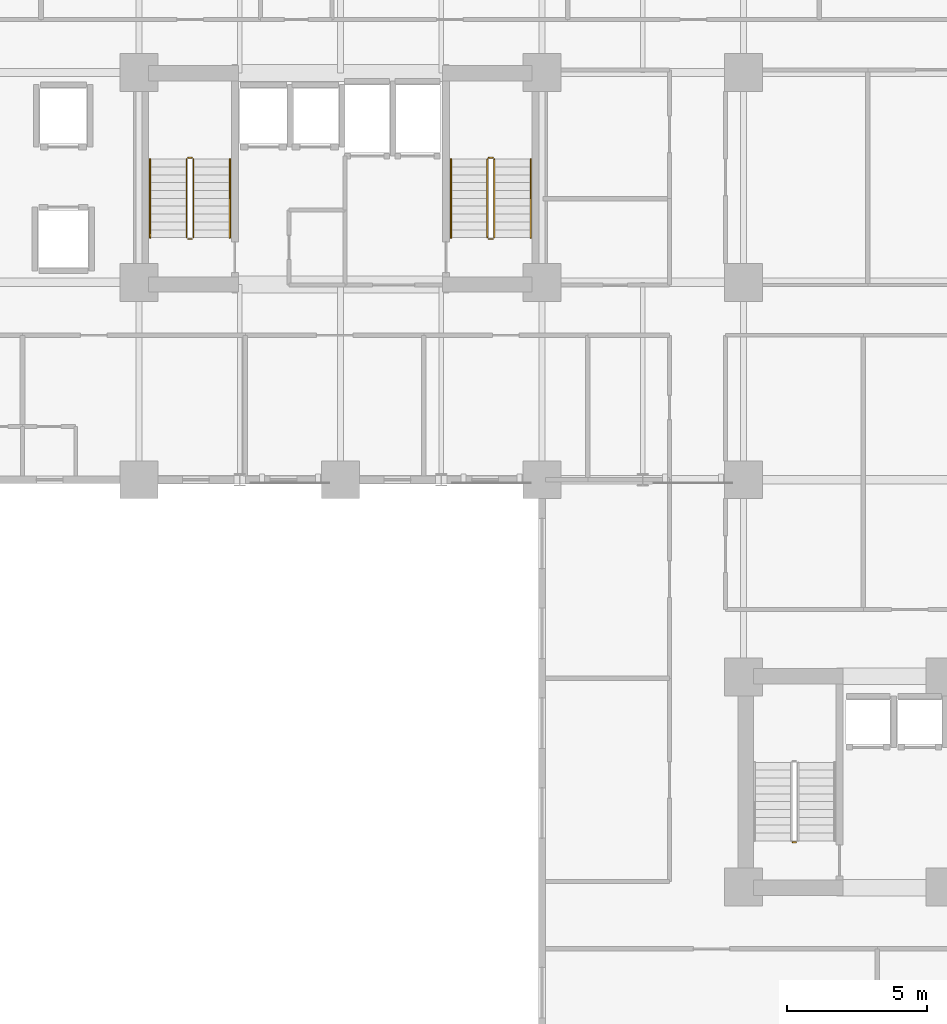
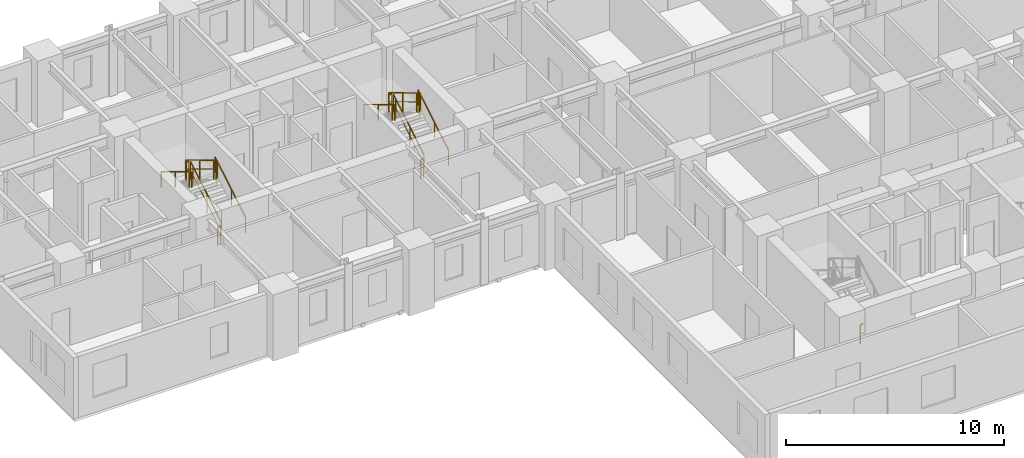
# One storey, part 9 of 11: 13 railings.
"""IFC4 building model written with IfcOpenShell, lengths in metres."""

from ifc_helpers import new_model, si_unit, direction, frame, origin, origin_2d, place, context, subcontext, project, spatial, rectangle, extrude, material, type_object, element, save


model = new_model("IFC4")

# Units and contexts
model_context = context("Model", 3, precision=1e-05, world=origin(), true_north=direction((0.0, 1.0)))
body_context = subcontext(model_context, "Body", "Model", "MODEL_VIEW")
ifc_project = project(units=[si_unit("LENGTHUNIT", "METRE"), si_unit("AREAUNIT", "SQUARE_METRE"), si_unit("VOLUMEUNIT", "CUBIC_METRE"), si_unit("PLANEANGLEUNIT", "RADIAN"), si_unit("MASSUNIT", "GRAM", prefix="KILO")], contexts=[model_context])

# Site, building, storey
site_placement = place(None, origin())
site = spatial("IfcSite", under=ifc_project, at=site_placement, CompositionType="ELEMENT")
building_placement = place(site_placement, origin())
building = spatial("IfcBuilding", under=site, at=building_placement, Name="Kaliganga Portal Commons", CompositionType="ELEMENT")
storey_placement = place(building_placement, frame((0.0, 0.0, 36.39990234375)))
storey = spatial("IfcBuildingStorey", under=building, at=storey_placement, Name="L08", CompositionType="ELEMENT", Elevation=36.39990234375)

# Railings
ifc_material_1 = material(Name="Galvanized Painted Steel Balustrade", Category="steel")
railing_type_1 = type_object("IfcRailingType", Name="RLG-STAIR-GRD", PredefinedType="GUARDRAIL", material=ifc_material_1)
railing_1_placement = place(storey_placement, frame((16.35009765625, 30.25, 0.168212890625)))
element("IfcRailing", 1, at=railing_1_placement, inside=storey, type_object=railing_type_1, Name="L08 ST-A1 stair guard 1", PredefinedType="GUARDRAIL", context=body_context, shape_type="SweptSolid", body=[
    extrude(rectangle(XDim=0.048095703125, YDim=0.048095703125, at=origin_2d()), frame((0.0, 0.0, 1.072021484375), z_axis=(0.0, 0.857242210791, 0.514913383045), x_axis=(-1.0, 0.0, 0.0)), (0.0, 0.0, 1.0), 3.266357421875),
    extrude(rectangle(XDim=0.028076171875, YDim=0.028076171875, at=origin_2d()), frame((0.0, 0.0, 0.572021484375), z_axis=(0.0, 0.857242210791, 0.514913383045), x_axis=(-1.0, 0.0, 0.0)), (0.0, 0.0, 1.0), 3.266357421875),
    extrude(rectangle(XDim=0.0419921875, YDim=0.0419921875, at=origin_2d()), origin(), (0.0, 0.0, 1.0), 1.052001953125),
    extrude(rectangle(XDim=0.0419921875, YDim=0.0419921875, at=origin_2d()), frame((0.0, 1.285888671875, 0.7724609375)), (0.0, 0.0, 1.0), 1.052001953125),
    extrude(rectangle(XDim=0.0419921875, YDim=0.0419921875, at=origin_2d()), frame((0.0, 2.57177734375, 1.544677734375)), (0.0, 0.0, 1.0), 1.052001953125),
    extrude(rectangle(XDim=0.0419921875, YDim=0.0419921875, at=origin_2d()), frame((0.0, 2.800048828125, 1.681884765625)), (0.0, 0.0, 1.0), 1.052001953125),
])
railing_2_placement = place(storey_placement, frame((16.300048828125, 33.10009765625, 1.85009765625)))
element("IfcRailing", 2, at=railing_2_placement, inside=storey, type_object=railing_type_1, Name="L08 ST-A1 stair guard 2", PredefinedType="GUARDRAIL", context=body_context, shape_type="SweptSolid", body=[
    extrude(rectangle(XDim=0.048095703125, YDim=0.048095703125, at=origin_2d()), frame((0.0, 0.0, 1.076171875), z_axis=(-1.0, 0.0, 0.0), x_axis=(0.0, -1.0, 0.0)), (0.0, 0.0, 1.0), 0.150146484375),
    extrude(rectangle(XDim=0.028076171875, YDim=0.028076171875, at=origin_2d()), frame((0.0, 0.0, 0.572021484375), z_axis=(-1.0, 0.0, 0.0), x_axis=(0.0, -1.0, 0.0)), (0.0, 0.0, 1.0), 0.150146484375),
    extrude(rectangle(XDim=0.0419921875, YDim=0.0419921875, at=origin_2d()), origin(), (0.0, 0.0, 1.0), 1.052001953125),
    extrude(rectangle(XDim=0.0419921875, YDim=0.0419921875, at=origin_2d()), frame((-0.150146484375, 0.0, 0.0)), (0.0, 0.0, 1.0), 1.052001953125),
])
railing_3_placement = place(storey_placement, frame((16.10009765625, 33.050048828125, 2.018310546875)))
element("IfcRailing", 3, at=railing_3_placement, inside=storey, type_object=railing_type_1, Name="L08 ST-A1 stair guard 3", PredefinedType="GUARDRAIL", context=body_context, shape_type="SweptSolid", body=[
    extrude(rectangle(XDim=0.048095703125, YDim=0.048095703125, at=origin_2d()), frame((0.0, 0.0, 1.072021484375), z_axis=(0.0, -0.857242210791, 0.514913383045), x_axis=(1.0, 0.0, 0.0)), (0.0, 0.0, 1.0), 3.266357421875),
    extrude(rectangle(XDim=0.028076171875, YDim=0.028076171875, at=origin_2d()), frame((0.0, 0.0, 0.572021484375), z_axis=(0.0, -0.857242210791, 0.514913383045), x_axis=(1.0, 0.0, 0.0)), (0.0, 0.0, 1.0), 3.266357421875),
    extrude(rectangle(XDim=0.0419921875, YDim=0.0419921875, at=origin_2d()), origin(), (0.0, 0.0, 1.0), 1.052001953125),
    extrude(rectangle(XDim=0.0419921875, YDim=0.0419921875, at=origin_2d()), frame((0.0, -1.285888671875, 0.7724609375)), (0.0, 0.0, 1.0), 1.052001953125),
    extrude(rectangle(XDim=0.0419921875, YDim=0.0419921875, at=origin_2d()), frame((0.0, -2.57177734375, 1.544677734375)), (0.0, 0.0, 1.0), 1.052001953125),
    extrude(rectangle(XDim=0.0419921875, YDim=0.0419921875, at=origin_2d()), frame((0.0, -2.800048828125, 1.681884765625)), (0.0, 0.0, 1.0), 1.052001953125),
])
railing_4_placement = place(storey_placement, frame((16.300048828125, 30.199951171875, 0.0)))
element("IfcRailing", 4, at=railing_4_placement, inside=storey, type_object=railing_type_1, Name="L08 ST-A1 stair guard 4", PredefinedType="GUARDRAIL", context=body_context, shape_type="SweptSolid", body=[
    extrude(rectangle(XDim=0.048095703125, YDim=0.048095703125, at=origin_2d()), frame((0.0, 0.0, 1.076171875), z_axis=(-1.0, 0.0, 0.0), x_axis=(0.0, -1.0, 0.0)), (0.0, 0.0, 1.0), 0.150146484375),
    extrude(rectangle(XDim=0.028076171875, YDim=0.028076171875, at=origin_2d()), frame((0.0, 0.0, 0.572021484375), z_axis=(-1.0, 0.0, 0.0), x_axis=(0.0, -1.0, 0.0)), (0.0, 0.0, 1.0), 0.150146484375),
    extrude(rectangle(XDim=0.0419921875, YDim=0.0419921875, at=origin_2d()), origin(), (0.0, 0.0, 1.0), 1.052001953125),
    extrude(rectangle(XDim=0.0419921875, YDim=0.0419921875, at=origin_2d()), frame((-0.150146484375, 0.0, 0.0)), (0.0, 0.0, 1.0), 1.052001953125),
])
railing_5_placement = place(storey_placement, frame((27.10009765625, 30.25, 0.168212890625)))
element("IfcRailing", 5, at=railing_5_placement, inside=storey, type_object=railing_type_1, Name="L08 ST-A2 stair guard 1", PredefinedType="GUARDRAIL", context=body_context, shape_type="SweptSolid", body=[
    extrude(rectangle(XDim=0.048095703125, YDim=0.048095703125, at=origin_2d()), frame((0.0, 0.0, 1.072021484375), z_axis=(0.0, 0.857242210791, 0.514913383045), x_axis=(-1.0, 0.0, 0.0)), (0.0, 0.0, 1.0), 3.266357421875),
    extrude(rectangle(XDim=0.028076171875, YDim=0.028076171875, at=origin_2d()), frame((0.0, 0.0, 0.572021484375), z_axis=(0.0, 0.857242210791, 0.514913383045), x_axis=(-1.0, 0.0, 0.0)), (0.0, 0.0, 1.0), 3.266357421875),
    extrude(rectangle(XDim=0.0419921875, YDim=0.0419921875, at=origin_2d()), origin(), (0.0, 0.0, 1.0), 1.052001953125),
    extrude(rectangle(XDim=0.0419921875, YDim=0.0419921875, at=origin_2d()), frame((0.0, 1.285888671875, 0.7724609375)), (0.0, 0.0, 1.0), 1.052001953125),
    extrude(rectangle(XDim=0.0419921875, YDim=0.0419921875, at=origin_2d()), frame((0.0, 2.57177734375, 1.544677734375)), (0.0, 0.0, 1.0), 1.052001953125),
    extrude(rectangle(XDim=0.0419921875, YDim=0.0419921875, at=origin_2d()), frame((0.0, 2.800048828125, 1.681884765625)), (0.0, 0.0, 1.0), 1.052001953125),
])
railing_6_placement = place(storey_placement, frame((27.050048828125, 33.10009765625, 1.85009765625)))
element("IfcRailing", 6, at=railing_6_placement, inside=storey, type_object=railing_type_1, Name="L08 ST-A2 stair guard 2", PredefinedType="GUARDRAIL", context=body_context, shape_type="SweptSolid", body=[
    extrude(rectangle(XDim=0.048095703125, YDim=0.048095703125, at=origin_2d()), frame((0.0, 0.0, 1.076171875), z_axis=(-1.0, 0.0, 0.0), x_axis=(0.0, -1.0, 0.0)), (0.0, 0.0, 1.0), 0.150146484375),
    extrude(rectangle(XDim=0.028076171875, YDim=0.028076171875, at=origin_2d()), frame((0.0, 0.0, 0.572021484375), z_axis=(-1.0, 0.0, 0.0), x_axis=(0.0, -1.0, 0.0)), (0.0, 0.0, 1.0), 0.150146484375),
    extrude(rectangle(XDim=0.0419921875, YDim=0.0419921875, at=origin_2d()), origin(), (0.0, 0.0, 1.0), 1.052001953125),
    extrude(rectangle(XDim=0.0419921875, YDim=0.0419921875, at=origin_2d()), frame((-0.150146484375, 0.0, 0.0)), (0.0, 0.0, 1.0), 1.052001953125),
])
railing_7_placement = place(storey_placement, frame((26.85009765625, 33.050048828125, 2.018310546875)))
element("IfcRailing", 7, at=railing_7_placement, inside=storey, type_object=railing_type_1, Name="L08 ST-A2 stair guard 3", PredefinedType="GUARDRAIL", context=body_context, shape_type="SweptSolid", body=[
    extrude(rectangle(XDim=0.048095703125, YDim=0.048095703125, at=origin_2d()), frame((0.0, 0.0, 1.072021484375), z_axis=(0.0, -0.857242210791, 0.514913383045), x_axis=(1.0, 0.0, 0.0)), (0.0, 0.0, 1.0), 3.266357421875),
    extrude(rectangle(XDim=0.028076171875, YDim=0.028076171875, at=origin_2d()), frame((0.0, 0.0, 0.572021484375), z_axis=(0.0, -0.857242210791, 0.514913383045), x_axis=(1.0, 0.0, 0.0)), (0.0, 0.0, 1.0), 3.266357421875),
    extrude(rectangle(XDim=0.0419921875, YDim=0.0419921875, at=origin_2d()), origin(), (0.0, 0.0, 1.0), 1.052001953125),
    extrude(rectangle(XDim=0.0419921875, YDim=0.0419921875, at=origin_2d()), frame((0.0, -1.285888671875, 0.7724609375)), (0.0, 0.0, 1.0), 1.052001953125),
    extrude(rectangle(XDim=0.0419921875, YDim=0.0419921875, at=origin_2d()), frame((0.0, -2.57177734375, 1.544677734375)), (0.0, 0.0, 1.0), 1.052001953125),
    extrude(rectangle(XDim=0.0419921875, YDim=0.0419921875, at=origin_2d()), frame((0.0, -2.800048828125, 1.681884765625)), (0.0, 0.0, 1.0), 1.052001953125),
])
railing_8_placement = place(storey_placement, frame((27.050048828125, 30.199951171875, 0.0)))
element("IfcRailing", 8, at=railing_8_placement, inside=storey, type_object=railing_type_1, Name="L08 ST-A2 stair guard 4", PredefinedType="GUARDRAIL", context=body_context, shape_type="SweptSolid", body=[
    extrude(rectangle(XDim=0.048095703125, YDim=0.048095703125, at=origin_2d()), frame((0.0, 0.0, 1.076171875), z_axis=(-1.0, 0.0, 0.0), x_axis=(0.0, -1.0, 0.0)), (0.0, 0.0, 1.0), 0.150146484375),
    extrude(rectangle(XDim=0.028076171875, YDim=0.028076171875, at=origin_2d()), frame((0.0, 0.0, 0.572021484375), z_axis=(-1.0, 0.0, 0.0), x_axis=(0.0, -1.0, 0.0)), (0.0, 0.0, 1.0), 0.150146484375),
    extrude(rectangle(XDim=0.0419921875, YDim=0.0419921875, at=origin_2d()), origin(), (0.0, 0.0, 1.0), 1.052001953125),
    extrude(rectangle(XDim=0.0419921875, YDim=0.0419921875, at=origin_2d()), frame((-0.150146484375, 0.0, 0.0)), (0.0, 0.0, 1.0), 1.052001953125),
])
railing_9_placement = place(storey_placement, frame((37.89990234375, 8.64990234375, 0.0)))
element("IfcRailing", 9, at=railing_9_placement, inside=storey, type_object=railing_type_1, Name="L08 ST-B1 stair guard 4", PredefinedType="GUARDRAIL", context=body_context, shape_type="SweptSolid", body=[
    extrude(rectangle(XDim=0.048095703125, YDim=0.048095703125, at=origin_2d()), frame((0.0, 0.0, 1.076171875), z_axis=(-1.0, 0.0, 0.0), x_axis=(0.0, -1.0, 0.0)), (0.0, 0.0, 1.0), 0.14990234375),
    extrude(rectangle(XDim=0.028076171875, YDim=0.028076171875, at=origin_2d()), frame((0.0, 0.0, 0.572021484375), z_axis=(-1.0, 0.0, 0.0), x_axis=(0.0, -1.0, 0.0)), (0.0, 0.0, 1.0), 0.14990234375),
    extrude(rectangle(XDim=0.0419921875, YDim=0.0419921875, at=origin_2d()), frame((-0.14990234375, 0.0, 0.0)), (0.0, 0.0, 1.0), 1.052001953125),
])
ifc_material_2 = material(Name="Brushed Stainless Steel 316", Category="steel")
railing_type_2 = type_object("IfcRailingType", Name="RLG-STAIR-HR", PredefinedType="HANDRAIL", material=ifc_material_2)
railing_10_placement = place(storey_placement, frame((17.64990234375, 30.25, 0.168212890625)))
element("IfcRailing", 10, at=railing_10_placement, inside=storey, type_object=railing_type_2, Name="L08 ST-A1 stair handrail 1", PredefinedType="HANDRAIL", context=body_context, shape_type="SweptSolid", body=[
    extrude(rectangle(XDim=0.048095703125, YDim=0.048095703125, at=origin_2d()), frame((0.0, 0.0, 0.871826171875), z_axis=(0.0, 0.857242210791, 0.514913383045), x_axis=(-1.0, 0.0, 0.0)), (0.0, 0.0, 1.0), 3.266357421875),
    extrude(rectangle(XDim=0.0419921875, YDim=0.0419921875, at=origin_2d()), origin(), (0.0, 0.0, 1.0), 0.851806640625),
    extrude(rectangle(XDim=0.0419921875, YDim=0.0419921875, at=origin_2d()), frame((0.0, 1.285888671875, 0.7724609375)), (0.0, 0.0, 1.0), 0.851806640625),
    extrude(rectangle(XDim=0.0419921875, YDim=0.0419921875, at=origin_2d()), frame((0.0, 2.57177734375, 1.544677734375)), (0.0, 0.0, 1.0), 0.851806640625),
    extrude(rectangle(XDim=0.0419921875, YDim=0.0419921875, at=origin_2d()), frame((0.0, 2.800048828125, 1.681884765625)), (0.0, 0.0, 1.0), 0.851806640625),
])
railing_11_placement = place(storey_placement, frame((14.800048828125, 33.050048828125, 2.018310546875)))
element("IfcRailing", 11, at=railing_11_placement, inside=storey, type_object=railing_type_2, Name="L08 ST-A1 stair handrail 2", PredefinedType="HANDRAIL", context=body_context, shape_type="SweptSolid", body=[
    extrude(rectangle(XDim=0.048095703125, YDim=0.048095703125, at=origin_2d()), frame((0.0, 0.0, 0.871826171875), z_axis=(0.0, -0.857242210791, 0.514913383045), x_axis=(1.0, 0.0, 0.0)), (0.0, 0.0, 1.0), 3.266357421875),
    extrude(rectangle(XDim=0.0419921875, YDim=0.0419921875, at=origin_2d()), origin(), (0.0, 0.0, 1.0), 0.851806640625),
    extrude(rectangle(XDim=0.0419921875, YDim=0.0419921875, at=origin_2d()), frame((0.0, -1.285888671875, 0.7724609375)), (0.0, 0.0, 1.0), 0.851806640625),
    extrude(rectangle(XDim=0.0419921875, YDim=0.0419921875, at=origin_2d()), frame((0.0, -2.57177734375, 1.544677734375)), (0.0, 0.0, 1.0), 0.851806640625),
    extrude(rectangle(XDim=0.0419921875, YDim=0.0419921875, at=origin_2d()), frame((0.0, -2.800048828125, 1.681884765625)), (0.0, 0.0, 1.0), 0.851806640625),
])
railing_12_placement = place(storey_placement, frame((28.39990234375, 30.25, 0.168212890625)))
element("IfcRailing", 12, at=railing_12_placement, inside=storey, type_object=railing_type_2, Name="L08 ST-A2 stair handrail 1", PredefinedType="HANDRAIL", context=body_context, shape_type="SweptSolid", body=[
    extrude(rectangle(XDim=0.048095703125, YDim=0.048095703125, at=origin_2d()), frame((0.0, 0.0, 0.871826171875), z_axis=(0.0, 0.857242210791, 0.514913383045), x_axis=(-1.0, 0.0, 0.0)), (0.0, 0.0, 1.0), 3.266357421875),
    extrude(rectangle(XDim=0.0419921875, YDim=0.0419921875, at=origin_2d()), origin(), (0.0, 0.0, 1.0), 0.851806640625),
    extrude(rectangle(XDim=0.0419921875, YDim=0.0419921875, at=origin_2d()), frame((0.0, 1.285888671875, 0.7724609375)), (0.0, 0.0, 1.0), 0.851806640625),
    extrude(rectangle(XDim=0.0419921875, YDim=0.0419921875, at=origin_2d()), frame((0.0, 2.57177734375, 1.544677734375)), (0.0, 0.0, 1.0), 0.851806640625),
    extrude(rectangle(XDim=0.0419921875, YDim=0.0419921875, at=origin_2d()), frame((0.0, 2.800048828125, 1.681884765625)), (0.0, 0.0, 1.0), 0.851806640625),
])
railing_13_placement = place(storey_placement, frame((25.550048828125, 33.050048828125, 2.018310546875)))
element("IfcRailing", 13, at=railing_13_placement, inside=storey, type_object=railing_type_2, Name="L08 ST-A2 stair handrail 2", PredefinedType="HANDRAIL", context=body_context, shape_type="SweptSolid", body=[
    extrude(rectangle(XDim=0.048095703125, YDim=0.048095703125, at=origin_2d()), frame((0.0, 0.0, 0.871826171875), z_axis=(0.0, -0.857242210791, 0.514913383045), x_axis=(1.0, 0.0, 0.0)), (0.0, 0.0, 1.0), 3.266357421875),
    extrude(rectangle(XDim=0.0419921875, YDim=0.0419921875, at=origin_2d()), origin(), (0.0, 0.0, 1.0), 0.851806640625),
    extrude(rectangle(XDim=0.0419921875, YDim=0.0419921875, at=origin_2d()), frame((0.0, -1.285888671875, 0.7724609375)), (0.0, 0.0, 1.0), 0.851806640625),
    extrude(rectangle(XDim=0.0419921875, YDim=0.0419921875, at=origin_2d()), frame((0.0, -2.57177734375, 1.544677734375)), (0.0, 0.0, 1.0), 0.851806640625),
    extrude(rectangle(XDim=0.0419921875, YDim=0.0419921875, at=origin_2d()), frame((0.0, -2.800048828125, 1.681884765625)), (0.0, 0.0, 1.0), 0.851806640625),
])

save(model, "model.ifc")
